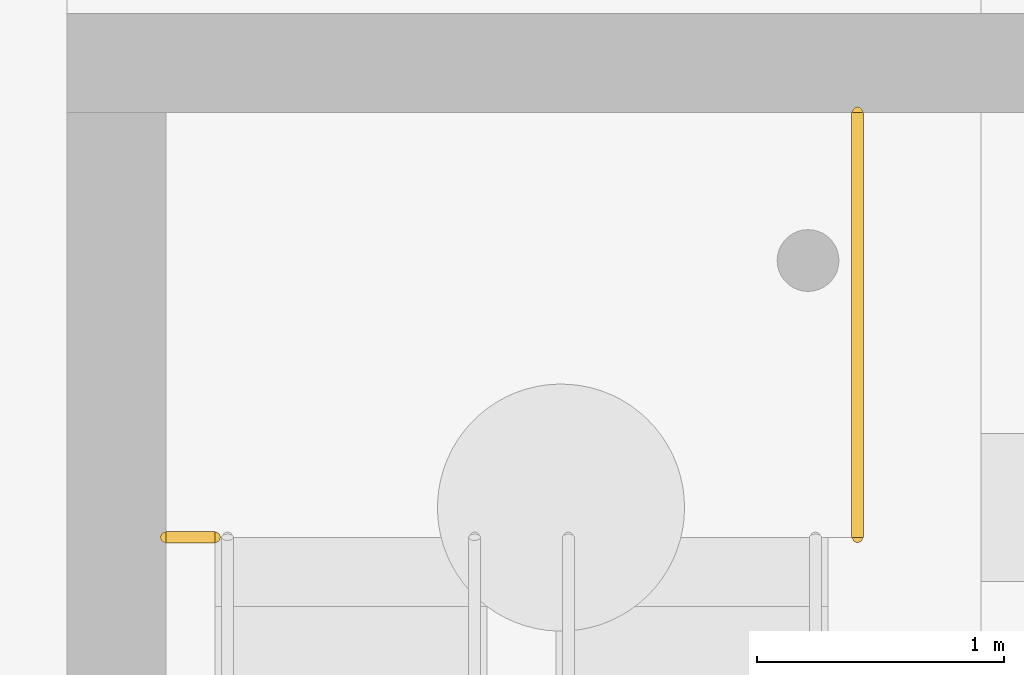
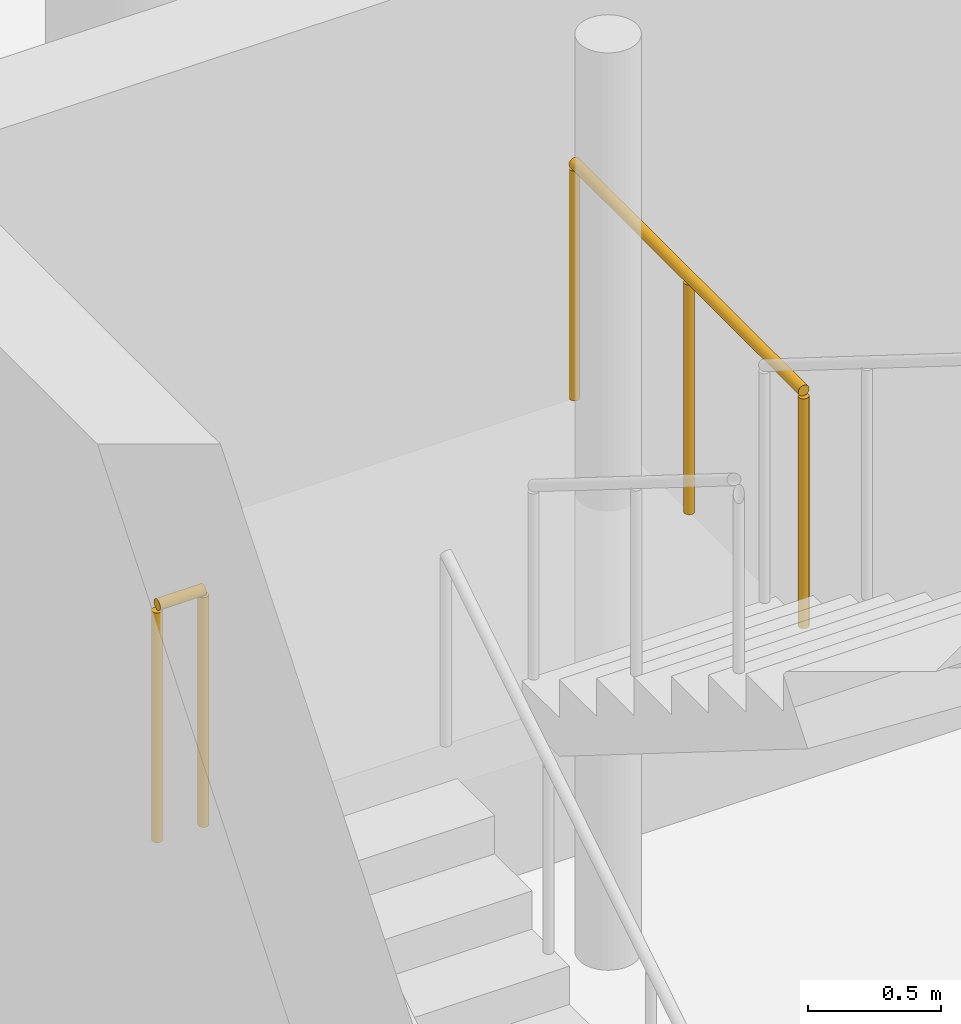
# One storey, part 24 of 28: 2 railings.
"""IFC4 building model written with IfcOpenShell, lengths in metres."""

import ifcopenshell
import ifcopenshell.guid

model = None  # the IFC model being written
_history = None  # IfcOwnerHistory: only IFC2X3 demands one
_inside = {}  # id of a spatial element -> (the spatial element, [elements in it])
_under = {}  # id of a project, library or spatial element -> (it, [spatial elements below it])
_declared = {}  # id of a project -> (the project, [libraries it declares])
_typed = {}  # id of a type object -> (the type object, [elements of that type])
_made_of = {}  # id of a material, layer set ... -> (it, [elements and type objects made of it])


def new_model(schema):
    """Start an empty IFC model of exactly this schema.

    Asked for "IFC4X3", IfcOpenShell would pick the latest addendum, in which some entities
    have other attributes; the version numbers below select the first issue.
    IFC2X3 requires an IfcOwnerHistory on every rooted entity: one is made here for all.
    """
    global model, _history
    if schema == "IFC4X3":
        model = ifcopenshell.file(schema_version=(4, 3, 0, 0))
    else:
        model = ifcopenshell.file(schema=schema)
    _inside.clear()
    _under.clear()
    _declared.clear()
    _typed.clear()
    _made_of.clear()
    _history = None
    if model.schema == "IFC2X3":
        org = make("IfcOrganization", Name="unknown")
        user = make(
            "IfcPersonAndOrganization",
            ThePerson=make("IfcPerson", FamilyName="unknown"),
            TheOrganization=org,
        )
        app = make(
            "IfcApplication",
            ApplicationDeveloper=org,
            Version="unknown",
            ApplicationFullName="unknown",
            ApplicationIdentifier="unknown",
        )
        _history = make(
            "IfcOwnerHistory",
            OwningUser=user,
            OwningApplication=app,
            ChangeAction="ADDED",
            CreationDate=0,
        )
    return model


def make(cls, **values):
    """One entity of the class cls with the attributes given. An attribute that is None is left unset."""
    return model.create_entity(
        cls, **{name: value for name, value in values.items() if value is not None}
    )


def rooted(cls, **values):
    """An entity with a GlobalId (a new one), such as an element, a storey or a relation."""
    return make(cls, GlobalId=ifcopenshell.guid.new(), OwnerHistory=_history, **values)


def si_unit(unit_type, name, prefix=None):
    """IfcSIUnit, for example si_unit("LENGTHUNIT", "METRE", prefix="MILLI")."""
    return make("IfcSIUnit", UnitType=unit_type, Prefix=prefix, Name=name)


def assignment(units):
    """IfcUnitAssignment: the units of a project."""
    return None if units is None else make("IfcUnitAssignment", Units=units)


def point(xyz):
    """IfcCartesianPoint."""
    return None if xyz is None else make("IfcCartesianPoint", Coordinates=xyz)


def direction(xyz):
    """IfcDirection."""
    return None if xyz is None else make("IfcDirection", DirectionRatios=xyz)


def frame(location, z_axis=None, x_axis=None):
    """IfcAxis2Placement3D, a coordinate frame: its origin and axes. An axis left out is left unset."""
    return make(
        "IfcAxis2Placement3D",
        Location=point(location),
        Axis=direction(z_axis),
        RefDirection=direction(x_axis),
    )


def frame_2d(location, x_axis=None):
    """IfcAxis2Placement2D, a coordinate frame in the plane: its origin and x axis."""
    return make(
        "IfcAxis2Placement2D", Location=point(location), RefDirection=direction(x_axis)
    )


def origin():
    """The frame at (0, 0, 0) with its axes left unset."""
    return frame((0.0, 0.0, 0.0))


def origin_2d():
    """The frame at (0, 0) in the plane with its x axis left unset."""
    return frame_2d((0.0, 0.0))


def place(relative_to, where):
    """IfcLocalPlacement: puts the frame where relative to a parent placement (None: the world)."""
    return make(
        "IfcLocalPlacement", PlacementRelTo=relative_to, RelativePlacement=where
    )


def context(
    kind, dimensions, precision=None, world=None, true_north=None, identifier=None
):
    """IfcGeometricRepresentationContext, for example the 3D "Model" context."""
    return make(
        "IfcGeometricRepresentationContext",
        ContextIdentifier=identifier,
        ContextType=kind,
        CoordinateSpaceDimension=dimensions,
        Precision=precision,
        WorldCoordinateSystem=world,
        TrueNorth=true_north,
    )


def subcontext(parent, identifier, kind, view, scale=None):
    """IfcGeometricRepresentationSubContext, for example "Body" below "Model"."""
    return make(
        "IfcGeometricRepresentationSubContext",
        ContextIdentifier=identifier,
        ContextType=kind,
        ParentContext=parent,
        TargetScale=scale,
        TargetView=view,
    )


def project(units=None, contexts=None):
    """IfcProject with its units and contexts."""
    return rooted(
        "IfcProject",
        Name="project",
        RepresentationContexts=contexts,
        UnitsInContext=assignment(units),
    )


def spatial(cls, under=None, at=None, **own):
    """A site, building, storey or space (cls), placed at a placement, below another one or the project."""
    s = rooted(cls, ObjectPlacement=at, **own)
    if under is not None:
        _under.setdefault(under.id(), (under, []))[1].append(s)
    return s


def profile(cls, at=None, kind="AREA", **sizes):
    """A parametric profile (cls). Its sizes go by their IFC names, for example OverallWidth=200.0."""
    return make(cls, ProfileType=kind, Position=at, **sizes)


def circle(**sizes):
    """IfcCircleProfileDef."""
    return profile("IfcCircleProfileDef", **sizes)


def extrude(swept, where, along, depth):
    """IfcExtrudedAreaSolid: the profile swept, set in the frame where, extruded along a direction by depth."""
    return make(
        "IfcExtrudedAreaSolid",
        SweptArea=swept,
        Position=where,
        ExtrudedDirection=direction(along),
        Depth=depth,
    )


def shape(context_of_items, identifier, shape_type, items):
    """IfcShapeRepresentation: the items that make up one representation, for example the "Body"."""
    return make(
        "IfcShapeRepresentation",
        ContextOfItems=context_of_items,
        RepresentationIdentifier=identifier,
        RepresentationType=shape_type,
        Items=items,
    )


def material(Name=None, Category=None):
    """IfcMaterial."""
    return make("IfcMaterial", Name=Name, Category=Category)


def made_of(thing, what):
    """Note that an element or type object is made of a material, layer set ...; save() writes the relation."""
    if what is not None:
        _made_of.setdefault(what.id(), (what, []))[1].append(thing)
    return thing


def type_object(cls, material=None, **own):
    """A type object (cls), such as IfcWallType, which elements share."""
    return made_of(rooted(cls, **own), material)


def element(
    cls,
    number,
    at=None,
    inside=None,
    cuts=None,
    type_object=None,
    material=None,
    context=None,
    identifier="Body",
    shape_type=None,
    held_by="IfcProductDefinitionShape",
    body=None,
    shapes=None,
    **own,
):
    """One element of the class cls, such as IfcWall. Its Tag is "e" and its number.

    at: its placement. inside: the storey or other place that contains it. cuts: it is an
    opening in that element (IfcRelVoidsElement). A single representation is given by context,
    identifier, shape_type and body (its items); several are given by shapes. held_by: the class
    of the entity that holds the representations. save() writes the other relations.
    """
    e = rooted(cls, Tag="e%d" % number, ObjectPlacement=at, **own)
    if body is not None:
        shapes = [shape(context, identifier, shape_type, body)]
    if shapes is not None:
        e.Representation = make(held_by, Representations=shapes)
    if inside is not None:
        _inside.setdefault(inside.id(), (inside, []))[1].append(e)
    if cuts is not None:
        rooted(
            "IfcRelVoidsElement", RelatingBuildingElement=cuts, RelatedOpeningElement=e
        )
    if type_object is not None:
        _typed.setdefault(type_object.id(), (type_object, []))[1].append(e)
    return made_of(e, material)


def aggregate(whole, parts):
    """IfcRelAggregates: a whole, such as a stair, and the parts it consists of."""
    return rooted("IfcRelAggregates", RelatingObject=whole, RelatedObjects=parts)


def save(model, path):
    """Write the relations noted so far, then the file.

    IfcRelAggregates (storeys below a building ...), IfcRelContainedInSpatialStructure (elements
    in a storey), IfcRelDefinesByType, IfcRelAssociatesMaterial and IfcRelDeclares: one each for
    every whole, place, type object, material and project.
    """
    for whole, parts in _under.values():
        aggregate(whole, parts)
    for where, things in _inside.values():
        rooted(
            "IfcRelContainedInSpatialStructure",
            RelatedElements=things,
            RelatingStructure=where,
        )
    for kind, things in _typed.values():
        rooted("IfcRelDefinesByType", RelatedObjects=things, RelatingType=kind)
    for what, things in _made_of.values():
        rooted("IfcRelAssociatesMaterial", RelatedObjects=things, RelatingMaterial=what)
    for by, libraries in _declared.values():
        rooted("IfcRelDeclares", RelatingContext=by, RelatedDefinitions=libraries)
    model.write(path)


model = new_model("IFC4")

# Units and contexts
model_context = context("Model", 3, precision=1e-05, world=origin(), true_north=direction((0.0, 1.0)))
body_context = subcontext(model_context, "Body", "Model", "MODEL_VIEW")
ifc_project = project(units=[si_unit("LENGTHUNIT", "METRE"), si_unit("AREAUNIT", "SQUARE_METRE"), si_unit("VOLUMEUNIT", "CUBIC_METRE"), si_unit("PLANEANGLEUNIT", "RADIAN"), si_unit("MASSUNIT", "GRAM", prefix="KILO")], contexts=[model_context])

# Site, building, storey
site_placement = place(None, origin())
site = spatial("IfcSite", under=ifc_project, at=site_placement, CompositionType="ELEMENT")
building_placement = place(site_placement, origin())
building = spatial("IfcBuilding", under=site, at=building_placement, Name="Fogon Plaza Fire Station and Headquarters Tower", CompositionType="ELEMENT")
storey_placement = place(building_placement, origin())
storey = spatial("IfcBuildingStorey", under=building, at=storey_placement, Name="L00", CompositionType="ELEMENT", Elevation=0.0)

# Railings
ifc_material = material(Name="Stainless Steel", Category="steel")
railing_type = type_object("IfcRailingType", Name="Guard Steel 1100", PredefinedType="GUARDRAIL", material=ifc_material)
railing_1_placement = place(storey_placement, frame((56.60009765625, 12.47998046875, 2.10009765625)))
element("IfcRailing", 1, at=railing_1_placement, inside=storey, type_object=railing_type, Name="rail-DT1-L00-half", PredefinedType="GUARDRAIL", context=body_context, shape_type="SweptSolid", body=[
    extrude(circle(Radius=0.02392578125, at=origin_2d()), frame((0.0, 0.0, 1.076171875), z_axis=(0.0, 1.0, 0.0), x_axis=(-1.0, 0.0, 0.0)), (0.0, 0.0, 1.0), 1.719970703125),
    extrude(circle(Radius=0.02099609375, at=origin_2d()), origin(), (0.0, 0.0, 1.0), 1.052001953125),
    extrude(circle(Radius=0.02099609375, at=origin_2d()), frame((0.0, 0.85986328125, 0.0)), (0.0, 0.0, 1.0), 1.052001953125),
    extrude(circle(Radius=0.02099609375, at=origin_2d()), frame((0.0, 1.719970703125, 0.0)), (0.0, 0.0, 1.0), 1.052001953125),
])
railing_2_placement = place(storey_placement, frame((53.800048828125, 12.47998046875, 2.10009765625)))
element("IfcRailing", 2, at=railing_2_placement, inside=storey, type_object=railing_type, Name="rail-DT1-L00-slot", PredefinedType="GUARDRAIL", context=body_context, shape_type="SweptSolid", body=[
    extrude(circle(Radius=0.02392578125, at=origin_2d()), frame((0.0, 0.0, 1.076171875), z_axis=(1.0, 0.0, 0.0), x_axis=(0.0, 1.0, 0.0)), (0.0, 0.0, 1.0), 0.199951171875),
    extrude(circle(Radius=0.02099609375, at=origin_2d()), origin(), (0.0, 0.0, 1.0), 1.052001953125),
    extrude(circle(Radius=0.02099609375, at=origin_2d()), frame((0.199951171875, 0.0, 0.0)), (0.0, 0.0, 1.0), 1.052001953125),
])

save(model, "model.ifc")
